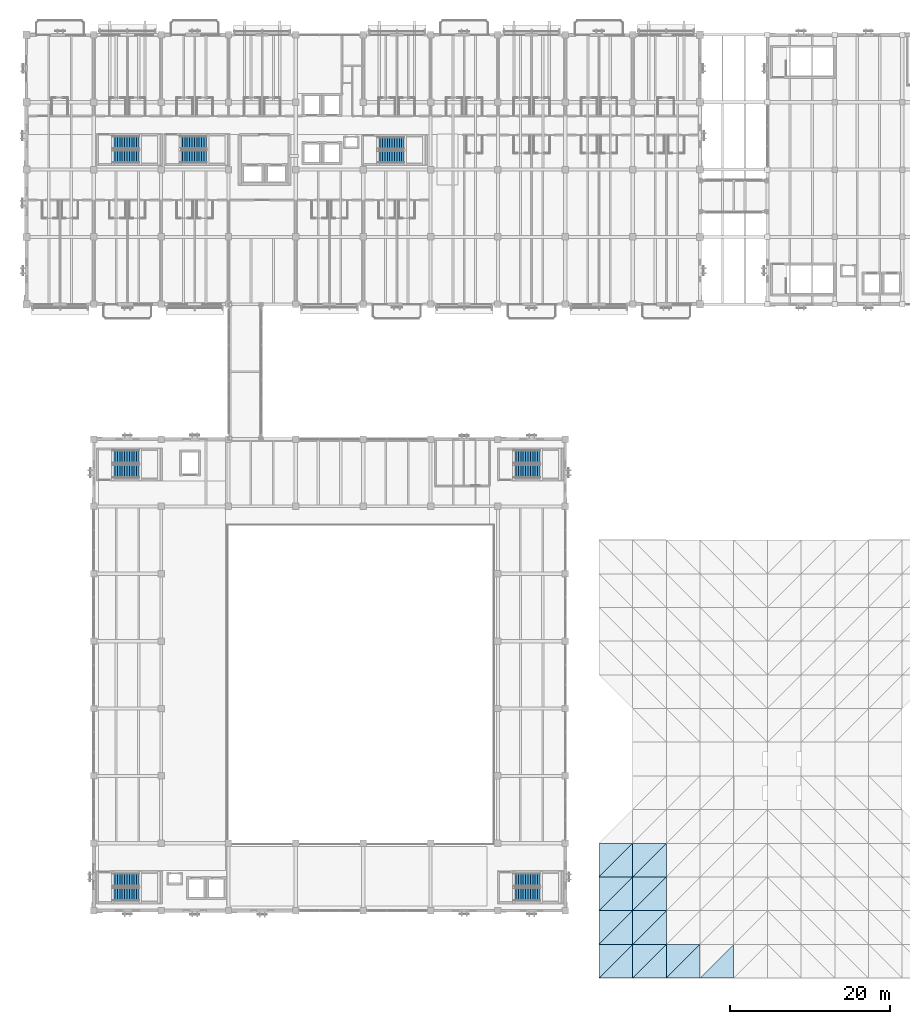
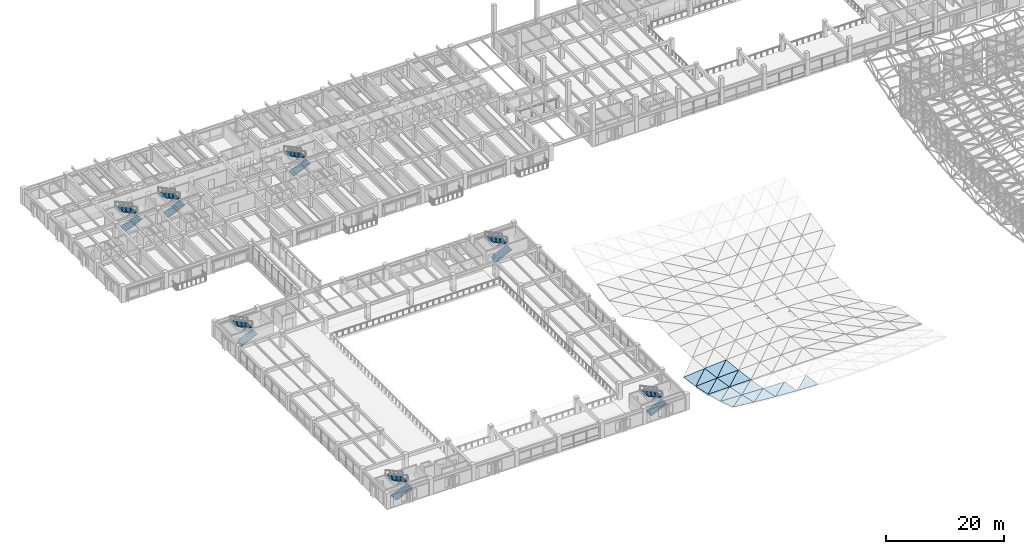
# One storey, part 97 of 123: 19 roofs, 14 stair flights, 7 elements without a shape of their own.
"""IFC4 building model written with IfcOpenShell, lengths in metres."""

from ifc_helpers import new_model, si_unit, direction, frame, origin, place, context, subcontext, project, spatial, polyline, outline, extrude, material, layer, layer_set, type_object, element, aggregate, save


model = new_model("IFC4")

# Units and contexts
model_context = context("Model", 3, precision=1e-05, world=origin(), true_north=direction((0.0, 1.0)))
body_context = subcontext(model_context, "Body", "Model", "MODEL_VIEW")
ifc_project = project(units=[si_unit("LENGTHUNIT", "METRE"), si_unit("AREAUNIT", "SQUARE_METRE"), si_unit("VOLUMEUNIT", "CUBIC_METRE"), si_unit("PLANEANGLEUNIT", "RADIAN"), si_unit("MASSUNIT", "GRAM", prefix="KILO")], contexts=[model_context])

# Site, building, storey
site_placement = place(None, origin())
site = spatial("IfcSite", under=ifc_project, at=site_placement, CompositionType="ELEMENT")
building_placement = place(site_placement, origin())
building = spatial("IfcBuilding", under=site, at=building_placement, Name="Cumbredor Promenade Congress Hotel", CompositionType="ELEMENT")
storey_placement = place(building_placement, frame((0.0, 0.0, 11.760009765625)))
storey = spatial("IfcBuildingStorey", under=building, at=storey_placement, Name="L03", CompositionType="ELEMENT", Elevation=11.760009765625)

# Stair, stair flights
ifc_material_1 = material(Name="Concrete C40/50", Category="concrete")
stair_type_1 = type_object("IfcStairType", Name="Protected Dog-Leg Exit Stair ST-T1 1550mm", PredefinedType="HALF_TURN_STAIR", material=ifc_material_1)
stair_1_placement = place(storey_placement, origin())
stair_1 = element("IfcStair", 1, at=stair_1_placement, inside=storey, type_object=stair_type_1, Name="L03 Protected Exit Stair ST-03", PredefinedType="HALF_TURN_STAIR")
stair_flight_type_1 = type_object("IfcStairFlightType", Name="Concrete Stair Flight SFL-T1 1550mm", PredefinedType="STRAIGHT", material=ifc_material_1)
stair_flight_1_placement = place(storey_placement, frame((43.800048828125, 102.39501953125, 0.0), z_axis=(0.0, 0.0, 1.0), x_axis=(1.0, 0.0, 0.0)))
stair_flight_1 = element("IfcStairFlight", 2, at=stair_flight_1_placement, type_object=stair_flight_type_1, Name="ST-03 flight 1", NumberOfRisers=12, NumberOfTreads=11, PredefinedType="STRAIGHT", RiserHeight=0.14, TreadLength=0.3, context=body_context, shape_type="SweptSolid", body=[
    extrude(outline(polyline([(0.0, 0.0), (0.0, 0.139892578125), (0.300048828125, 0.139892578125), (0.300048828125, 0.280029296875), (0.60009765625, 0.280029296875), (0.60009765625, 0.419921875), (0.89990234375, 0.419921875), (0.89990234375, 0.56005859375), (1.199951171875, 0.56005859375), (1.199951171875, 0.699951171875), (1.5, 0.699951171875), (1.5, 0.840087890625), (1.800048828125, 0.840087890625), (1.800048828125, 0.97998046875), (2.10009765625, 0.97998046875), (2.10009765625, 1.1201171875), (2.39990234375, 1.1201171875), (2.39990234375, 1.260009765625), (2.699951171875, 1.260009765625), (2.699951171875, 1.39990234375), (3.0, 1.39990234375), (3.0, 1.5400390625), (3.300048828125, 1.5400390625), (3.300048828125, 1.679931640625), (3.300048828125, 1.341552734375), (0.425537109375, 0.0), (0.0, 0.0)])), frame((0.0, 0.77490234375, 0.0), z_axis=(0.0, -1.0, 0.0), x_axis=(1.0, 0.0, 0.0)), (0.0, 0.0, 1.0), 1.550048828125),
])
stair_flight_2_placement = place(storey_placement, frame((47.10009765625, 104.094970703125, 1.679931640625), z_axis=(0.0, 0.0, 1.0), x_axis=(-1.0, 0.0, 0.0)))
stair_flight_2 = element("IfcStairFlight", 3, at=stair_flight_2_placement, type_object=stair_flight_type_1, Name="ST-03 flight 2", NumberOfRisers=12, NumberOfTreads=11, PredefinedType="STRAIGHT", RiserHeight=0.14, TreadLength=0.3, context=body_context, shape_type="SweptSolid", body=[
    extrude(outline(polyline([(0.0, 0.0), (0.0, 0.139892578125), (0.300048828125, 0.139892578125), (0.300048828125, 0.280029296875), (0.60009765625, 0.280029296875), (0.60009765625, 0.419921875), (0.89990234375, 0.419921875), (0.89990234375, 0.56005859375), (1.199951171875, 0.56005859375), (1.199951171875, 0.699951171875), (1.5, 0.699951171875), (1.5, 0.840087890625), (1.800048828125, 0.840087890625), (1.800048828125, 0.97998046875), (2.10009765625, 0.97998046875), (2.10009765625, 1.1201171875), (2.39990234375, 1.1201171875), (2.39990234375, 1.260009765625), (2.699951171875, 1.260009765625), (2.699951171875, 1.39990234375), (3.0, 1.39990234375), (3.0, 1.5400390625), (3.300048828125, 1.5400390625), (3.300048828125, 1.679931640625), (3.300048828125, 1.341552734375), (0.425537109375, 0.0), (0.0, 0.0)])), frame((0.0, 0.77490234375, 0.0), z_axis=(0.0, -1.0, 0.0), x_axis=(1.0, 0.0, 0.0)), (0.0, 0.0, 1.0), 1.550048828125),
])
aggregate(stair_1, [stair_flight_1, stair_flight_2])

stair_type_2 = type_object("IfcStairType", Name="Protected Dog-Leg Exit Stair ST-T2 1600mm", PredefinedType="HALF_TURN_STAIR", material=ifc_material_1)
stair_2_placement = place(storey_placement, origin())
stair_2 = element("IfcStair", 4, at=stair_2_placement, inside=storey, type_object=stair_type_2, Name="L03 Protected Exit Stair ST-01", PredefinedType="HALF_TURN_STAIR")
stair_flight_type_2 = type_object("IfcStairFlightType", Name="Concrete Stair Flight SFL-T2 1600mm", PredefinedType="STRAIGHT", material=ifc_material_1)
stair_flight_3_placement = place(storey_placement, frame((10.75, 102.419921875, 0.0), z_axis=(0.0, 0.0, 1.0), x_axis=(1.0, 0.0, 0.0)))
stair_flight_3 = element("IfcStairFlight", 5, at=stair_flight_3_placement, type_object=stair_flight_type_2, Name="ST-01 flight 1", NumberOfRisers=12, NumberOfTreads=11, PredefinedType="STRAIGHT", RiserHeight=0.14, TreadLength=0.3, context=body_context, shape_type="SweptSolid", body=[
    extrude(outline(polyline([(0.0, 0.0), (0.0, 0.139892578125), (0.300048828125, 0.139892578125), (0.300048828125, 0.280029296875), (0.60009765625, 0.280029296875), (0.60009765625, 0.419921875), (0.89990234375, 0.419921875), (0.89990234375, 0.56005859375), (1.199951171875, 0.56005859375), (1.199951171875, 0.699951171875), (1.5, 0.699951171875), (1.5, 0.840087890625), (1.800048828125, 0.840087890625), (1.800048828125, 0.97998046875), (2.10009765625, 0.97998046875), (2.10009765625, 1.1201171875), (2.39990234375, 1.1201171875), (2.39990234375, 1.260009765625), (2.699951171875, 1.260009765625), (2.699951171875, 1.39990234375), (3.0, 1.39990234375), (3.0, 1.5400390625), (3.300048828125, 1.5400390625), (3.300048828125, 1.679931640625), (3.300048828125, 1.341552734375), (0.425537109375, 0.0), (0.0, 0.0)])), frame((0.0, 0.800048828125, 0.0), z_axis=(0.0, -1.0, 0.0), x_axis=(1.0, 0.0, 0.0)), (0.0, 0.0, 1.0), 1.60009765625),
])
stair_flight_4_placement = place(storey_placement, frame((14.050048828125, 104.169921875, 1.679931640625), z_axis=(0.0, 0.0, 1.0), x_axis=(-1.0, 0.0, 0.0)))
stair_flight_4 = element("IfcStairFlight", 6, at=stair_flight_4_placement, type_object=stair_flight_type_2, Name="ST-01 flight 2", NumberOfRisers=12, NumberOfTreads=11, PredefinedType="STRAIGHT", RiserHeight=0.14, TreadLength=0.3, context=body_context, shape_type="SweptSolid", body=[
    extrude(outline(polyline([(0.0, 0.0), (0.0, 0.139892578125), (0.300048828125, 0.139892578125), (0.300048828125, 0.280029296875), (0.60009765625, 0.280029296875), (0.60009765625, 0.419921875), (0.89990234375, 0.419921875), (0.89990234375, 0.56005859375), (1.199951171875, 0.56005859375), (1.199951171875, 0.699951171875), (1.5, 0.699951171875), (1.5, 0.840087890625), (1.800048828125, 0.840087890625), (1.800048828125, 0.97998046875), (2.10009765625, 0.97998046875), (2.10009765625, 1.1201171875), (2.39990234375, 1.1201171875), (2.39990234375, 1.260009765625), (2.699951171875, 1.260009765625), (2.699951171875, 1.39990234375), (3.0, 1.39990234375), (3.0, 1.5400390625), (3.300048828125, 1.5400390625), (3.300048828125, 1.679931640625), (3.300048828125, 1.341552734375), (0.425537109375, 0.0), (0.0, 0.0)])), frame((0.0, 0.800048828125, 0.0), z_axis=(0.0, -1.0, 0.0), x_axis=(1.0, 0.0, 0.0)), (0.0, 0.0, 1.0), 1.60009765625),
])
aggregate(stair_2, [stair_flight_3, stair_flight_4])

stair_3_placement = place(storey_placement, origin())
stair_3 = element("IfcStair", 7, at=stair_3_placement, inside=storey, type_object=stair_type_2, Name="L03 Protected Exit Stair ST-02", PredefinedType="HALF_TURN_STAIR")
stair_flight_5_placement = place(storey_placement, frame((19.14990234375, 102.419921875, 0.0), z_axis=(0.0, 0.0, 1.0), x_axis=(1.0, 0.0, 0.0)))
stair_flight_5 = element("IfcStairFlight", 8, at=stair_flight_5_placement, type_object=stair_flight_type_2, Name="ST-02 flight 1", NumberOfRisers=12, NumberOfTreads=11, PredefinedType="STRAIGHT", RiserHeight=0.14, TreadLength=0.3, context=body_context, shape_type="SweptSolid", body=[
    extrude(outline(polyline([(0.0, 0.0), (0.0, 0.139892578125), (0.300048828125, 0.139892578125), (0.300048828125, 0.280029296875), (0.60009765625, 0.280029296875), (0.60009765625, 0.419921875), (0.89990234375, 0.419921875), (0.89990234375, 0.56005859375), (1.199951171875, 0.56005859375), (1.199951171875, 0.699951171875), (1.5, 0.699951171875), (1.5, 0.840087890625), (1.800048828125, 0.840087890625), (1.800048828125, 0.97998046875), (2.10009765625, 0.97998046875), (2.10009765625, 1.1201171875), (2.39990234375, 1.1201171875), (2.39990234375, 1.260009765625), (2.699951171875, 1.260009765625), (2.699951171875, 1.39990234375), (3.0, 1.39990234375), (3.0, 1.5400390625), (3.300048828125, 1.5400390625), (3.300048828125, 1.679931640625), (3.300048828125, 1.341552734375), (0.425537109375, 0.0), (0.0, 0.0)])), frame((0.0, 0.800048828125, 0.0), z_axis=(0.0, -1.0, 0.0), x_axis=(1.0, 0.0, 0.0)), (0.0, 0.0, 1.0), 1.60009765625),
])
stair_flight_6_placement = place(storey_placement, frame((22.449951171875, 104.169921875, 1.679931640625), z_axis=(0.0, 0.0, 1.0), x_axis=(-1.0, 0.0, 0.0)))
stair_flight_6 = element("IfcStairFlight", 9, at=stair_flight_6_placement, type_object=stair_flight_type_2, Name="ST-02 flight 2", NumberOfRisers=12, NumberOfTreads=11, PredefinedType="STRAIGHT", RiserHeight=0.14, TreadLength=0.3, context=body_context, shape_type="SweptSolid", body=[
    extrude(outline(polyline([(0.0, 0.0), (0.0, 0.139892578125), (0.300048828125, 0.139892578125), (0.300048828125, 0.280029296875), (0.60009765625, 0.280029296875), (0.60009765625, 0.419921875), (0.89990234375, 0.419921875), (0.89990234375, 0.56005859375), (1.199951171875, 0.56005859375), (1.199951171875, 0.699951171875), (1.5, 0.699951171875), (1.5, 0.840087890625), (1.800048828125, 0.840087890625), (1.800048828125, 0.97998046875), (2.10009765625, 0.97998046875), (2.10009765625, 1.1201171875), (2.39990234375, 1.1201171875), (2.39990234375, 1.260009765625), (2.699951171875, 1.260009765625), (2.699951171875, 1.39990234375), (3.0, 1.39990234375), (3.0, 1.5400390625), (3.300048828125, 1.5400390625), (3.300048828125, 1.679931640625), (3.300048828125, 1.341552734375), (0.425537109375, 0.0), (0.0, 0.0)])), frame((0.0, 0.800048828125, 0.0), z_axis=(0.0, -1.0, 0.0), x_axis=(1.0, 0.0, 0.0)), (0.0, 0.0, 1.0), 1.60009765625),
])
aggregate(stair_3, [stair_flight_5, stair_flight_6])

stair_type_3 = type_object("IfcStairType", Name="Protected Dog-Leg Exit Stair ST-T3 1650mm", PredefinedType="HALF_TURN_STAIR", material=ifc_material_1)
stair_4_placement = place(storey_placement, origin())
stair_4 = element("IfcStair", 10, at=stair_4_placement, inside=storey, type_object=stair_type_3, Name="L03 Protected Exit Stair ST-04", PredefinedType="HALF_TURN_STAIR")
stair_flight_type_3 = type_object("IfcStairFlightType", Name="Concrete Stair Flight SFL-T3 1650mm", PredefinedType="STRAIGHT", material=ifc_material_1)
stair_flight_7_placement = place(storey_placement, frame((10.75, 10.425048828125, 0.0), z_axis=(0.0, 0.0, 1.0), x_axis=(1.0, 0.0, 0.0)))
stair_flight_7 = element("IfcStairFlight", 11, at=stair_flight_7_placement, type_object=stair_flight_type_3, Name="ST-04 flight 1", NumberOfRisers=12, NumberOfTreads=11, PredefinedType="STRAIGHT", RiserHeight=0.14, TreadLength=0.3, context=body_context, shape_type="SweptSolid", body=[
    extrude(outline(polyline([(0.0, 0.0), (0.0, 0.139892578125), (0.300048828125, 0.139892578125), (0.300048828125, 0.280029296875), (0.60009765625, 0.280029296875), (0.60009765625, 0.419921875), (0.89990234375, 0.419921875), (0.89990234375, 0.56005859375), (1.199951171875, 0.56005859375), (1.199951171875, 0.699951171875), (1.5, 0.699951171875), (1.5, 0.840087890625), (1.800048828125, 0.840087890625), (1.800048828125, 0.97998046875), (2.10009765625, 0.97998046875), (2.10009765625, 1.1201171875), (2.39990234375, 1.1201171875), (2.39990234375, 1.260009765625), (2.699951171875, 1.260009765625), (2.699951171875, 1.39990234375), (3.0, 1.39990234375), (3.0, 1.5400390625), (3.300048828125, 1.5400390625), (3.300048828125, 1.679931640625), (3.300048828125, 1.341552734375), (0.425537109375, 0.0), (0.0, 0.0)])), frame((0.0, 0.824951171875, 0.0), z_axis=(0.0, -1.0, 0.0), x_axis=(1.0, 0.0, 0.0)), (0.0, 0.0, 1.0), 1.64990234375),
])
stair_flight_8_placement = place(storey_placement, frame((14.050048828125, 12.22509765625, 1.679931640625), z_axis=(0.0, 0.0, 1.0), x_axis=(-1.0, 0.0, 0.0)))
stair_flight_8 = element("IfcStairFlight", 12, at=stair_flight_8_placement, type_object=stair_flight_type_3, Name="ST-04 flight 2", NumberOfRisers=12, NumberOfTreads=11, PredefinedType="STRAIGHT", RiserHeight=0.14, TreadLength=0.3, context=body_context, shape_type="SweptSolid", body=[
    extrude(outline(polyline([(0.0, 0.0), (0.0, 0.139892578125), (0.300048828125, 0.139892578125), (0.300048828125, 0.280029296875), (0.60009765625, 0.280029296875), (0.60009765625, 0.419921875), (0.89990234375, 0.419921875), (0.89990234375, 0.56005859375), (1.199951171875, 0.56005859375), (1.199951171875, 0.699951171875), (1.5, 0.699951171875), (1.5, 0.840087890625), (1.800048828125, 0.840087890625), (1.800048828125, 0.97998046875), (2.10009765625, 0.97998046875), (2.10009765625, 1.1201171875), (2.39990234375, 1.1201171875), (2.39990234375, 1.260009765625), (2.699951171875, 1.260009765625), (2.699951171875, 1.39990234375), (3.0, 1.39990234375), (3.0, 1.5400390625), (3.300048828125, 1.5400390625), (3.300048828125, 1.679931640625), (3.300048828125, 1.341552734375), (0.425537109375, 0.0), (0.0, 0.0)])), frame((0.0, 0.824951171875, 0.0), z_axis=(0.0, -1.0, 0.0), x_axis=(1.0, 0.0, 0.0)), (0.0, 0.0, 1.0), 1.64990234375),
])
aggregate(stair_4, [stair_flight_7, stair_flight_8])

stair_5_placement = place(storey_placement, origin())
stair_5 = element("IfcStair", 13, at=stair_5_placement, inside=storey, type_object=stair_type_3, Name="L03 Protected Exit Stair ST-05", PredefinedType="HALF_TURN_STAIR")
stair_flight_9_placement = place(storey_placement, frame((60.75, 10.425048828125, 0.0), z_axis=(0.0, 0.0, 1.0), x_axis=(1.0, 0.0, 0.0)))
stair_flight_9 = element("IfcStairFlight", 14, at=stair_flight_9_placement, type_object=stair_flight_type_3, Name="ST-05 flight 1", NumberOfRisers=12, NumberOfTreads=11, PredefinedType="STRAIGHT", RiserHeight=0.14, TreadLength=0.3, context=body_context, shape_type="SweptSolid", body=[
    extrude(outline(polyline([(0.0, 0.0), (0.0, 0.139892578125), (0.300048828125, 0.139892578125), (0.300048828125, 0.280029296875), (0.60009765625, 0.280029296875), (0.60009765625, 0.419921875), (0.89990234375, 0.419921875), (0.89990234375, 0.56005859375), (1.199951171875, 0.56005859375), (1.199951171875, 0.699951171875), (1.5, 0.699951171875), (1.5, 0.840087890625), (1.800048828125, 0.840087890625), (1.800048828125, 0.97998046875), (2.10009765625, 0.97998046875), (2.10009765625, 1.1201171875), (2.39990234375, 1.1201171875), (2.39990234375, 1.260009765625), (2.699951171875, 1.260009765625), (2.699951171875, 1.39990234375), (3.0, 1.39990234375), (3.0, 1.5400390625), (3.300048828125, 1.5400390625), (3.300048828125, 1.679931640625), (3.300048828125, 1.341552734375), (0.425537109375, 0.0), (0.0, 0.0)])), frame((0.0, 0.824951171875, 0.0), z_axis=(0.0, -1.0, 0.0), x_axis=(1.0, 0.0, 0.0)), (0.0, 0.0, 1.0), 1.64990234375),
])
stair_flight_10_placement = place(storey_placement, frame((64.050048828125, 12.22509765625, 1.679931640625), z_axis=(0.0, 0.0, 1.0), x_axis=(-1.0, 0.0, 0.0)))
stair_flight_10 = element("IfcStairFlight", 15, at=stair_flight_10_placement, type_object=stair_flight_type_3, Name="ST-05 flight 2", NumberOfRisers=12, NumberOfTreads=11, PredefinedType="STRAIGHT", RiserHeight=0.14, TreadLength=0.3, context=body_context, shape_type="SweptSolid", body=[
    extrude(outline(polyline([(0.0, 0.0), (0.0, 0.139892578125), (0.300048828125, 0.139892578125), (0.300048828125, 0.280029296875), (0.60009765625, 0.280029296875), (0.60009765625, 0.419921875), (0.89990234375, 0.419921875), (0.89990234375, 0.56005859375), (1.199951171875, 0.56005859375), (1.199951171875, 0.699951171875), (1.5, 0.699951171875), (1.5, 0.840087890625), (1.800048828125, 0.840087890625), (1.800048828125, 0.97998046875), (2.10009765625, 0.97998046875), (2.10009765625, 1.1201171875), (2.39990234375, 1.1201171875), (2.39990234375, 1.260009765625), (2.699951171875, 1.260009765625), (2.699951171875, 1.39990234375), (3.0, 1.39990234375), (3.0, 1.5400390625), (3.300048828125, 1.5400390625), (3.300048828125, 1.679931640625), (3.300048828125, 1.341552734375), (0.425537109375, 0.0), (0.0, 0.0)])), frame((0.0, 0.824951171875, 0.0), z_axis=(0.0, -1.0, 0.0), x_axis=(1.0, 0.0, 0.0)), (0.0, 0.0, 1.0), 1.64990234375),
])
aggregate(stair_5, [stair_flight_9, stair_flight_10])

stair_6_placement = place(storey_placement, origin())
stair_6 = element("IfcStair", 16, at=stair_6_placement, inside=storey, type_object=stair_type_3, Name="L03 Protected Exit Stair ST-06", PredefinedType="HALF_TURN_STAIR")
stair_flight_11_placement = place(storey_placement, frame((10.75, 63.175048828125, 0.0), z_axis=(0.0, 0.0, 1.0), x_axis=(1.0, 0.0, 0.0)))
stair_flight_11 = element("IfcStairFlight", 17, at=stair_flight_11_placement, type_object=stair_flight_type_3, Name="ST-06 flight 1", NumberOfRisers=12, NumberOfTreads=11, PredefinedType="STRAIGHT", RiserHeight=0.14, TreadLength=0.3, context=body_context, shape_type="SweptSolid", body=[
    extrude(outline(polyline([(0.0, 0.0), (0.0, 0.139892578125), (0.300048828125, 0.139892578125), (0.300048828125, 0.280029296875), (0.60009765625, 0.280029296875), (0.60009765625, 0.419921875), (0.89990234375, 0.419921875), (0.89990234375, 0.56005859375), (1.199951171875, 0.56005859375), (1.199951171875, 0.699951171875), (1.5, 0.699951171875), (1.5, 0.840087890625), (1.800048828125, 0.840087890625), (1.800048828125, 0.97998046875), (2.10009765625, 0.97998046875), (2.10009765625, 1.1201171875), (2.39990234375, 1.1201171875), (2.39990234375, 1.260009765625), (2.699951171875, 1.260009765625), (2.699951171875, 1.39990234375), (3.0, 1.39990234375), (3.0, 1.5400390625), (3.300048828125, 1.5400390625), (3.300048828125, 1.679931640625), (3.300048828125, 1.341552734375), (0.425537109375, 0.0), (0.0, 0.0)])), frame((0.0, 0.824951171875, 0.0), z_axis=(0.0, -1.0, 0.0), x_axis=(1.0, 0.0, 0.0)), (0.0, 0.0, 1.0), 1.64990234375),
])
stair_flight_12_placement = place(storey_placement, frame((14.050048828125, 64.97509765625, 1.679931640625), z_axis=(0.0, 0.0, 1.0), x_axis=(-1.0, 0.0, 0.0)))
stair_flight_12 = element("IfcStairFlight", 18, at=stair_flight_12_placement, type_object=stair_flight_type_3, Name="ST-06 flight 2", NumberOfRisers=12, NumberOfTreads=11, PredefinedType="STRAIGHT", RiserHeight=0.14, TreadLength=0.3, context=body_context, shape_type="SweptSolid", body=[
    extrude(outline(polyline([(0.0, 0.0), (0.0, 0.139892578125), (0.300048828125, 0.139892578125), (0.300048828125, 0.280029296875), (0.60009765625, 0.280029296875), (0.60009765625, 0.419921875), (0.89990234375, 0.419921875), (0.89990234375, 0.56005859375), (1.199951171875, 0.56005859375), (1.199951171875, 0.699951171875), (1.5, 0.699951171875), (1.5, 0.840087890625), (1.800048828125, 0.840087890625), (1.800048828125, 0.97998046875), (2.10009765625, 0.97998046875), (2.10009765625, 1.1201171875), (2.39990234375, 1.1201171875), (2.39990234375, 1.260009765625), (2.699951171875, 1.260009765625), (2.699951171875, 1.39990234375), (3.0, 1.39990234375), (3.0, 1.5400390625), (3.300048828125, 1.5400390625), (3.300048828125, 1.679931640625), (3.300048828125, 1.341552734375), (0.425537109375, 0.0), (0.0, 0.0)])), frame((0.0, 0.824951171875, 0.0), z_axis=(0.0, -1.0, 0.0), x_axis=(1.0, 0.0, 0.0)), (0.0, 0.0, 1.0), 1.64990234375),
])
aggregate(stair_6, [stair_flight_11, stair_flight_12])

stair_7_placement = place(storey_placement, origin())
stair_7 = element("IfcStair", 19, at=stair_7_placement, inside=storey, type_object=stair_type_3, Name="L03 Protected Exit Stair ST-07", PredefinedType="HALF_TURN_STAIR")
stair_flight_13_placement = place(storey_placement, frame((60.75, 63.175048828125, 0.0), z_axis=(0.0, 0.0, 1.0), x_axis=(1.0, 0.0, 0.0)))
stair_flight_13 = element("IfcStairFlight", 20, at=stair_flight_13_placement, type_object=stair_flight_type_3, Name="ST-07 flight 1", NumberOfRisers=12, NumberOfTreads=11, PredefinedType="STRAIGHT", RiserHeight=0.14, TreadLength=0.3, context=body_context, shape_type="SweptSolid", body=[
    extrude(outline(polyline([(0.0, 0.0), (0.0, 0.139892578125), (0.300048828125, 0.139892578125), (0.300048828125, 0.280029296875), (0.60009765625, 0.280029296875), (0.60009765625, 0.419921875), (0.89990234375, 0.419921875), (0.89990234375, 0.56005859375), (1.199951171875, 0.56005859375), (1.199951171875, 0.699951171875), (1.5, 0.699951171875), (1.5, 0.840087890625), (1.800048828125, 0.840087890625), (1.800048828125, 0.97998046875), (2.10009765625, 0.97998046875), (2.10009765625, 1.1201171875), (2.39990234375, 1.1201171875), (2.39990234375, 1.260009765625), (2.699951171875, 1.260009765625), (2.699951171875, 1.39990234375), (3.0, 1.39990234375), (3.0, 1.5400390625), (3.300048828125, 1.5400390625), (3.300048828125, 1.679931640625), (3.300048828125, 1.341552734375), (0.425537109375, 0.0), (0.0, 0.0)])), frame((0.0, 0.824951171875, 0.0), z_axis=(0.0, -1.0, 0.0), x_axis=(1.0, 0.0, 0.0)), (0.0, 0.0, 1.0), 1.64990234375),
])
stair_flight_14_placement = place(storey_placement, frame((64.050048828125, 64.97509765625, 1.679931640625), z_axis=(0.0, 0.0, 1.0), x_axis=(-1.0, 0.0, 0.0)))
stair_flight_14 = element("IfcStairFlight", 21, at=stair_flight_14_placement, type_object=stair_flight_type_3, Name="ST-07 flight 2", NumberOfRisers=12, NumberOfTreads=11, PredefinedType="STRAIGHT", RiserHeight=0.14, TreadLength=0.3, context=body_context, shape_type="SweptSolid", body=[
    extrude(outline(polyline([(0.0, 0.0), (0.0, 0.139892578125), (0.300048828125, 0.139892578125), (0.300048828125, 0.280029296875), (0.60009765625, 0.280029296875), (0.60009765625, 0.419921875), (0.89990234375, 0.419921875), (0.89990234375, 0.56005859375), (1.199951171875, 0.56005859375), (1.199951171875, 0.699951171875), (1.5, 0.699951171875), (1.5, 0.840087890625), (1.800048828125, 0.840087890625), (1.800048828125, 0.97998046875), (2.10009765625, 0.97998046875), (2.10009765625, 1.1201171875), (2.39990234375, 1.1201171875), (2.39990234375, 1.260009765625), (2.699951171875, 1.260009765625), (2.699951171875, 1.39990234375), (3.0, 1.39990234375), (3.0, 1.5400390625), (3.300048828125, 1.5400390625), (3.300048828125, 1.679931640625), (3.300048828125, 1.341552734375), (0.425537109375, 0.0), (0.0, 0.0)])), frame((0.0, 0.824951171875, 0.0), z_axis=(0.0, -1.0, 0.0), x_axis=(1.0, 0.0, 0.0)), (0.0, 0.0, 1.0), 1.64990234375),
])
aggregate(stair_7, [stair_flight_13, stair_flight_14])

# Roofs
ifc_material_2 = material(Name="Standing-seam zinc-aluminium roofing", Category="aluminium")
ifc_layer = layer(ifc_material_2, 0.050048828125, Name="Standing-seam zinc-aluminium roofing", Category="aluminium")
ifc_layer_set = layer_set([ifc_layer], Name="Standing-seam zinc-aluminium roofing")
roof_type = type_object("IfcRoofType", Name="Sweeping Pavilion Standing-Seam Roof Skin 50mm", PredefinedType="FREEFORM", material=ifc_layer_set)
roof_1_placement = place(storey_placement, frame((71.39990234375, 0.0, 3.989990234375), z_axis=(0.099213272197, 0.243252105087, 0.964875712199), x_axis=(0.994755071837, 0.0, -0.102285615094)))
element("IfcRoof", 22, at=roof_1_placement, inside=storey, type_object=roof_type, Name="Thermal Spa and Hydrotherapy Pavilion Standing-Seam Roof Skin 1.1.1", PredefinedType="FREEFORM", context=body_context, shape_type="SweptSolid", body=[
    extrude(outline(polyline([(0.0, 0.0), (4.222341188715797, -1.3877787807814457e-17), (4.3306450736433275, 4.330011292510331), (0.0, 0.0)])), origin(), (0.0, 0.0, -1.0), 0.050048828125),
])
roof_2_placement = place(storey_placement, frame((71.39990234375, 0.0, 3.989990234375), z_axis=(0.035319999334, 0.302728813285, 0.952422051012), x_axis=(0.685857157763, 0.685817291618, -0.24342268108)))
element("IfcRoof", 23, at=roof_2_placement, inside=storey, type_object=roof_type, Name="Thermal Spa and Hydrotherapy Pavilion Standing-Seam Roof Skin 1.1.2", PredefinedType="FREEFORM", context=body_context, shape_type="SweptSolid", body=[
    extrude(outline(polyline([(0.0, 0.0), (6.12400886243139, 5.551115123125783e-16), (3.205358908164724, 3.0244643857440474), (0.0, 0.0)])), origin(), (0.0, 0.0, -1.0), 0.050048828125),
])
roof_3_placement = place(storey_placement, frame((71.39990234375, 4.199951171875, 2.655029296875), z_axis=(0.036267894573, 0.205511066046, 0.977982536427), x_axis=(0.999313082109, 0.0, -0.03705892504)))
element("IfcRoof", 24, at=roof_3_placement, inside=storey, type_object=roof_type, Name="Thermal Spa and Hydrotherapy Pavilion Standing-Seam Roof Skin 1.2.1", PredefinedType="FREEFORM", context=body_context, shape_type="SweptSolid", body=[
    extrude(outline(polyline([(0.0, 0.0), (4.203082485054859, -6.938893903907228e-18), (4.23578951972749, 4.29155531305225), (0.0, 0.0)])), origin(), (0.0, 0.0, -1.0), 0.050048828125),
])
roof_4_placement = place(storey_placement, frame((71.39990234375, 4.199951171875, 2.655029296875), z_axis=(-0.017022768101, 0.255974388564, 0.966533671305), x_axis=(0.696564555426, 0.696524066902, -0.172197689736)))
element("IfcRoof", 25, at=roof_4_placement, inside=storey, type_object=roof_type, Name="Thermal Spa and Hydrotherapy Pavilion Standing-Seam Roof Skin 1.2.2", PredefinedType="FREEFORM", context=body_context, shape_type="SweptSolid", body=[
    extrude(outline(polyline([(0.0, 0.0), (6.029872292214839, 2.7755575615628914e-16), (3.116903368495957, 3.026834147327405), (0.0, 0.0)])), origin(), (0.0, 0.0, -1.0), 0.050048828125),
])
roof_5_placement = place(storey_placement, frame((71.39990234375, 8.39990234375, 1.542724609375), z_axis=(-0.01736604117, 0.165693811955, 0.986024330985), x_axis=(0.999844941573, 0.0, 0.017609452296)))
element("IfcRoof", 26, at=roof_5_placement, inside=storey, type_object=roof_type, Name="Thermal Spa and Hydrotherapy Pavilion Standing-Seam Roof Skin 1.3.1", PredefinedType="FREEFORM", context=body_context, shape_type="SweptSolid", body=[
    extrude(outline(polyline([(0.0, 0.0), (4.2008466891781655, -1.734723475976807e-18), (4.188417752023107, 4.259067352455013), (0.0, 0.0)])), origin(), (0.0, 0.0, -1.0), 0.050048828125),
])
roof_6_placement = place(storey_placement, frame((71.39990234375, 8.39990234375, 1.542724609375), z_axis=(-0.060052570281, 0.206948649568, 0.976507012389), x_axis=(0.703140091223, 0.703140091223, -0.105773457108)))
element("IfcRoof", 27, at=roof_6_placement, inside=storey, type_object=roof_type, Name="Thermal Spa and Hydrotherapy Pavilion Standing-Seam Roof Skin 1.3.2", PredefinedType="FREEFORM", context=body_context, shape_type="SweptSolid", body=[
    extrude(outline(polyline([(0.0, 0.0), (5.9734829018095015, -2.220446049250313e-16), (3.0474785532284927, 3.0243773753991685), (0.0, 0.0)])), origin(), (0.0, 0.0, -1.0), 0.050048828125),
])
roof_7_placement = place(storey_placement, frame((71.39990234375, 12.60009765625, 0.652587890625), z_axis=(-0.060901455005, 0.124803430556, 0.99031061617), x_axis=(0.998114386185, 0.0, 0.061381365995)))
element("IfcRoof", 28, at=roof_7_placement, inside=storey, type_object=roof_type, Name="Thermal Spa and Hydrotherapy Pavilion Standing-Seam Roof Skin 1.4.1", PredefinedType="FREEFORM", context=body_context, shape_type="SweptSolid", body=[
    extrude(outline(polyline([(0.0, 0.0), (4.208130220981919, 0.0), (4.175641255777372, 4.233047306038392), (0.0, 0.0)])), origin(), (0.0, 0.0, -1.0), 0.050048828125),
])
roof_8_placement = place(storey_placement, frame((71.39990234375, 12.60009765625, 0.652587890625), z_axis=(-0.092768320446, 0.156223387345, 0.983355628432), x_axis=(0.706392526269, 0.706351466485, -0.045576360391)))
element("IfcRoof", 29, at=roof_8_placement, inside=storey, type_object=roof_type, Name="Thermal Spa and Hydrotherapy Pavilion Standing-Seam Roof Skin 1.4.2", PredefinedType="FREEFORM", context=body_context, shape_type="SweptSolid", body=[
    extrude(outline(polyline([(0.0, 0.0), (5.945979262670609, -2.7755575615628914e-17), (2.997051872774309, 3.0170306984855033), (0.0, 0.0)])), origin(), (0.0, 0.0, -1.0), 0.050048828125),
])
roof_9_placement = place(storey_placement, frame((75.60009765625, 0.0, 3.55810546875), z_axis=(0.078234824353, 0.196410884377, 0.977395557979), x_axis=(0.99681177698, 0.0, -0.079788979649)))
element("IfcRoof", 30, at=roof_9_placement, inside=storey, type_object=roof_type, Name="Thermal Spa and Hydrotherapy Pavilion Standing-Seam Roof Skin 2.1.1", PredefinedType="FREEFORM", context=body_context, shape_type="SweptSolid", body=[
    extrude(outline(polyline([(0.0, 0.0), (4.213384380949298, 0.0), (4.280725812259506, 4.283384302998345), (0.0, 0.0)])), origin(), (0.0, 0.0, -1.0), 0.050048828125),
])
roof_10_placement = place(storey_placement, frame((75.60009765625, 0.0, 3.55810546875), z_axis=(0.028002787108, 0.244362349468, 0.969279570649), x_axis=(0.693548721637, 0.693548721637, -0.19488545721)))
element("IfcRoof", 31, at=roof_10_placement, inside=storey, type_object=roof_type, Name="Thermal Spa and Hydrotherapy Pavilion Standing-Seam Roof Skin 2.1.2", PredefinedType="FREEFORM", context=body_context, shape_type="SweptSolid", body=[
    extrude(outline(polyline([(0.0, 0.0), (6.055740629098757, -2.220446049250313e-16), (3.119222872616792, 3.005191540601303), (0.0, 0.0)])), origin(), (0.0, 0.0, -1.0), 0.050048828125),
])
roof_11_placement = place(storey_placement, frame((75.60009765625, 4.199951171875, 2.499267578125), z_axis=(0.028481672708, 0.165159317392, 0.985855564572), x_axis=(0.999582936058, 0.0, -0.028878260723)))
element("IfcRoof", 32, at=roof_11_placement, inside=storey, type_object=roof_type, Name="Thermal Spa and Hydrotherapy Pavilion Standing-Seam Roof Skin 2.2.1", PredefinedType="FREEFORM", context=body_context, shape_type="SweptSolid", body=[
    extrude(outline(polyline([(0.0, 0.0), (4.20170355092259, -6.938893903907228e-18), (4.222022678706812, 4.258432649312615), (0.0, 0.0)])), origin(), (0.0, 0.0, -1.0), 0.050048828125),
])
roof_12_placement = place(storey_placement, frame((75.60009765625, 4.199951171875, 2.499267578125), z_axis=(-0.013424112816, 0.205627829795, 0.978538189755), x_axis=(0.700383757265, 0.700383757265, -0.137568837749)))
element("IfcRoof", 33, at=roof_12_placement, inside=storey, type_object=roof_type, Name="Thermal Spa and Hydrotherapy Pavilion Standing-Seam Roof Skin 2.2.2", PredefinedType="FREEFORM", context=body_context, shape_type="SweptSolid", body=[
    extrude(outline(polyline([(0.0, 0.0), (5.996642738086562, 1.3877787807814457e-16), (3.0629914855193174, 3.006093796730273), (0.0, 0.0)])), origin(), (0.0, 0.0, -1.0), 0.050048828125),
])
roof_13_placement = place(storey_placement, frame((75.60009765625, 8.39990234375, 1.61669921875), z_axis=(-0.013595784884, 0.132781621137, 0.991052065091), x_axis=(0.999905914145, 0.0, 0.013717246744)))
element("IfcRoof", 34, at=roof_13_placement, inside=storey, type_object=roof_type, Name="Thermal Spa and Hydrotherapy Pavilion Standing-Seam Roof Skin 2.3.1", PredefinedType="FREEFORM", context=body_context, shape_type="SweptSolid", body=[
    extrude(outline(polyline([(0.0, 0.0), (4.2003463650548625, 0.0), (4.192627064824132, 4.237718967010282), (0.0, 0.0)])), origin(), (0.0, 0.0, -1.0), 0.050048828125),
])
roof_14_placement = place(storey_placement, frame((75.60009765625, 8.39990234375, 1.61669921875), z_axis=(-0.047069450277, 0.165535122983, 0.98507999163), x_axis=(0.704543197141, 0.704584151812, -0.084735213328)))
element("IfcRoof", 35, at=roof_14_placement, inside=storey, type_object=roof_type, Name="Thermal Spa and Hydrotherapy Pavilion Standing-Seam Roof Skin 2.3.2", PredefinedType="FREEFORM", context=body_context, shape_type="SweptSolid", body=[
    extrude(outline(polyline([(0.0, 0.0), (5.961240118302106, -6.522560269672795e-16), (3.0191980589602068, 3.0040393259739253), (0.0, 0.0)])), origin(), (0.0, 0.0, -1.0), 0.050048828125),
])
roof_15_placement = place(storey_placement, frame((75.60009765625, 12.60009765625, 0.910888671875), z_axis=(-0.047489476072, 0.099831891305, 0.993870385483), x_axis=(0.998860373953, 0.0, 0.047727909515)))
element("IfcRoof", 36, at=roof_15_placement, inside=storey, type_object=roof_type, Name="Thermal Spa and Hydrotherapy Pavilion Standing-Seam Roof Skin 2.4.1", PredefinedType="FREEFORM", context=body_context, shape_type="SweptSolid", body=[
    extrude(outline(polyline([(0.0, 0.0), (4.20474300652663, 0.0), (4.184607794699922, 4.22103813474883), (0.0, 0.0)])), origin(), (0.0, 0.0, -1.0), 0.050048828125),
])
roof_16_placement = place(storey_placement, frame((75.60009765625, 12.60009765625, 0.910888671875), z_axis=(-0.072591572305, 0.124705648778, 0.989534721368), x_axis=(0.706616978007, 0.706616978007, -0.037214147653)))
element("IfcRoof", 37, at=roof_16_placement, inside=storey, type_object=roof_type, Name="Thermal Spa and Hydrotherapy Pavilion Standing-Seam Roof Skin 2.4.2", PredefinedType="FREEFORM", context=body_context, shape_type="SweptSolid", body=[
    extrude(outline(polyline([(0.0, 0.0), (5.943745059343244, -5.447031714567174e-16), (2.987454136904249, 2.9991436791045274), (0.0, 0.0)])), origin(), (0.0, 0.0, -1.0), 0.050048828125),
])
roof_17_placement = place(storey_placement, frame((79.800048828125, 0.0, 3.221923828125), z_axis=(0.056294469809, 0.162011246277, 0.985181855674), x_axis=(0.998371428865, 0.0, -0.0570481378)))
element("IfcRoof", 38, at=roof_17_placement, inside=storey, type_object=roof_type, Name="Thermal Spa and Hydrotherapy Pavilion Standing-Seam Roof Skin 3.1.1", PredefinedType="FREEFORM", context=body_context, shape_type="SweptSolid", body=[
    extrude(outline(polyline([(0.0, 0.0), (4.206802248588535, -6.938893903907228e-18), (4.246203904310292, 4.2561799412756764), (0.0, 0.0)])), origin(), (0.0, 0.0, -1.0), 0.050048828125),
])
roof_18_placement = place(storey_placement, frame((79.800048828125, 0.0, 3.221923828125), z_axis=(0.020227342875, 0.196974434701, 0.980199942193), x_axis=(0.698583353557, 0.698583353557, -0.154798566748)))
element("IfcRoof", 39, at=roof_18_placement, inside=storey, type_object=roof_type, Name="Thermal Spa and Hydrotherapy Pavilion Standing-Seam Roof Skin 3.1.2", PredefinedType="FREEFORM", context=body_context, shape_type="SweptSolid", body=[
    extrude(outline(polyline([(0.0, 0.0), (6.012097411843672, -5.551115123125783e-17), (3.0646650577346866, 2.9932831539036813), (0.0, 0.0)])), origin(), (0.0, 0.0, -1.0), 0.050048828125),
])
roof_19_placement = place(storey_placement, frame((84.0, 0.0, 2.98193359375), z_axis=(0.03393363177, 0.141025873049, 0.989424181919), x_axis=(0.999412398725, 0.0, -0.034276191086)))
element("IfcRoof", 40, at=roof_19_placement, inside=storey, type_object=roof_type, Name="Thermal Spa and Hydrotherapy Pavilion Standing-Seam Roof Skin 4.1.1", PredefinedType="FREEFORM", context=body_context, shape_type="SweptSolid", body=[
    extrude(outline(polyline([(0.0, 0.0), (4.202420519531631, 0.0), (4.222939372203061, 4.242349592739959), (0.0, 0.0)])), origin(), (0.0, 0.0, -1.0), 0.050048828125),
])

save(model, "model.ifc")
